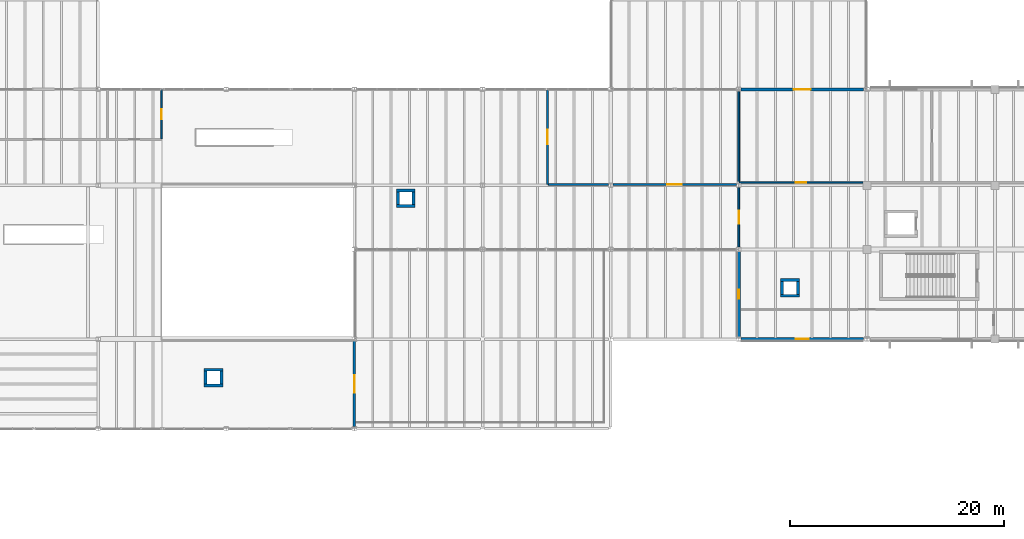
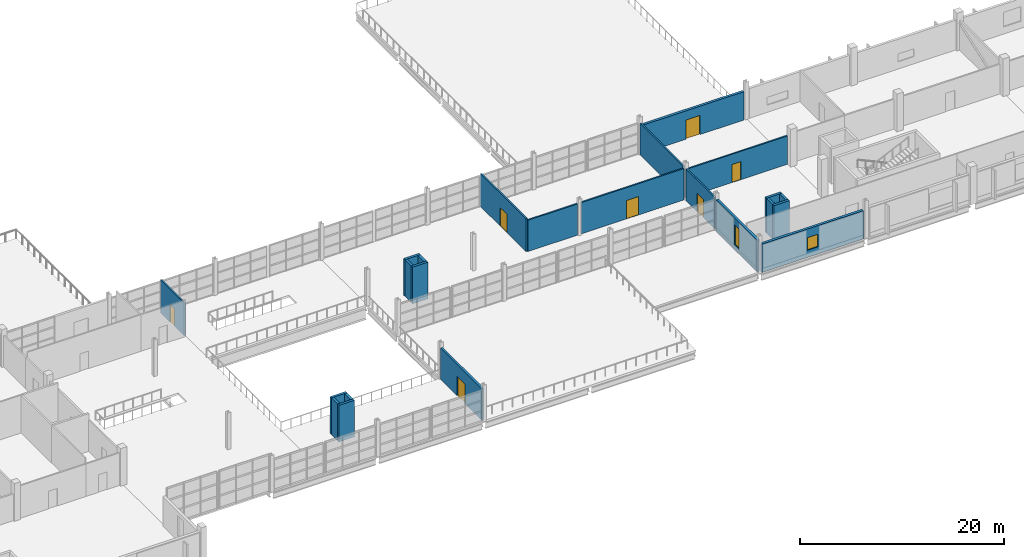
# One storey, part 57 of 78: 23 walls, 7 doors, 2 windows, 9 openings.
"""IFC4 building model written with IfcOpenShell, lengths in metres."""

from ifc_helpers import new_model, si_unit, direction, frame, frame_2d, origin, place, context, subcontext, project, spatial, rectangle, extrude, material, layer, layer_set, type_object, element, fill, save


model = new_model("IFC4")

# Units and contexts
model_context = context("Model", 3, precision=1e-05, world=origin(), true_north=direction((0.0, 1.0)))
body_context = subcontext(model_context, "Body", "Model", "MODEL_VIEW")
ifc_project = project(units=[si_unit("LENGTHUNIT", "METRE"), si_unit("AREAUNIT", "SQUARE_METRE"), si_unit("VOLUMEUNIT", "CUBIC_METRE"), si_unit("PLANEANGLEUNIT", "RADIAN"), si_unit("MASSUNIT", "GRAM", prefix="KILO")], contexts=[model_context])

# Site, building, storey
site_placement = place(None, origin())
site = spatial("IfcSite", under=ifc_project, at=site_placement, CompositionType="ELEMENT")
building_placement = place(site_placement, origin())
building = spatial("IfcBuilding", under=site, at=building_placement, Name="Kelmvaro Bay Concert Hall", CompositionType="ELEMENT")
storey_placement = place(building_placement, frame((0.0, 0.0, 9.300048828125)))
storey = spatial("IfcBuildingStorey", under=building, at=storey_placement, Name="L02", CompositionType="ELEMENT", Elevation=9.300048828125)

# Wall, opening, door
ifc_material_1 = material(Name="Acoustic Gypsum Board on Galvanised Steel Studs", Category="steel")
ifc_layer_1 = layer(ifc_material_1, 0.169921875)
ifc_layer_set_1 = layer_set([ifc_layer_1], Name="Acoustic Gypsum Board on Galvanised Steel Studs")
wall_type_1 = type_object("IfcWallType", Name="Corridor Fire Compartment Partition 170", PredefinedType="PARTITIONING", material=ifc_layer_set_1)
wall_1_placement = place(storey_placement, frame((120.0, 24.205078125, 0.0), z_axis=(0.0, 0.0, 1.0), x_axis=(0.0, 1.0, 0.0)))
wall_1 = element("IfcWall", 1, at=wall_1_placement, inside=storey, type_object=wall_type_1, Name="L02 Interior Partition PT-L02-0265", PredefinedType="PARTITIONING", context=body_context, shape_type="SweptSolid", body=[
    extrude(rectangle(XDim=5.58984375, YDim=0.169921875, at=frame_2d((2.794921875, 0.0))), origin(), (0.0, 0.0, 1.0), 3.763916015625),
])
opening_1_placement = place(wall_1_placement, frame((2.18505859375, 0.0, 0.0)))
opening_1 = element("IfcOpeningElement", 2, at=opening_1_placement, cuts=wall_1, Name="Opening ID-ST2", PredefinedType="OPENING", context=body_context, shape_type="SweptSolid", body=[
    extrude(rectangle(XDim=1.219970703125, YDim=2.179931640625, at=frame_2d((0.60986328125, 1.08984375))), frame((0.0, 0.094970703125, 0.0), z_axis=(0.0, -1.0, 0.0), x_axis=(1.0, 0.0, 0.0)), (0.0, 0.0, 1.0), 0.18994140625),
])
ifc_material_2 = material(Name="Acoustic Oak and Fire Glass", Category="glass")
door_type_1 = type_object("IfcDoorType", Name="Core Lobby Smoke Control Door 1220x2180", OperationType="NOTDEFINED", PredefinedType="DOOR", material=ifc_material_2)
door_1_placement = place(opening_1_placement, origin())
door_1 = element("IfcDoor", 3, at=door_1_placement, inside=storey, type_object=door_type_1, Name="L02 Interior Door DR-INT-L02-0157", OperationType="SINGLE_SWING_LEFT", OverallHeight=2.179931640625, OverallWidth=1.219970703125, PredefinedType="DOOR", context=body_context, shape_type="SweptSolid", body=[
    extrude(rectangle(XDim=1.219970703125, YDim=2.179931640625, at=frame_2d((0.60986328125, 1.08984375))), frame((0.0, 0.02490234375, 0.0), z_axis=(0.0, -1.0, 0.0), x_axis=(1.0, 0.0, 0.0)), (0.0, 0.0, 1.0), 0.050048828125),
])
fill(opening_1, door_1)

wall_2_placement = place(storey_placement, frame((102.080078125, 30.074951171875, 0.0), z_axis=(0.0, 0.0, 1.0), x_axis=(0.0, 1.0, 0.0)))
wall_2 = element("IfcWall", 4, at=wall_2_placement, inside=storey, type_object=wall_type_1, Name="L02 Interior Partition PT-L02-0275", PredefinedType="PARTITIONING", context=body_context, shape_type="SweptSolid", body=[
    extrude(rectangle(XDim=8.875, YDim=0.169921875, at=frame_2d((4.4375, 0.0))), origin(), (0.0, 0.0, 1.0), 3.93603515625),
])
opening_2_placement = place(wall_2_placement, frame((3.757568359375, 0.0, 0.0)))
opening_2 = element("IfcOpeningElement", 5, at=opening_2_placement, cuts=wall_2, Name="Opening ID-DN1", PredefinedType="OPENING", context=body_context, shape_type="SweptSolid", body=[
    extrude(rectangle(XDim=1.360107421875, YDim=2.199951171875, at=frame_2d((0.68017578125, 1.10009765625))), frame((0.0, 0.094970703125, 0.0), z_axis=(0.0, -1.0, 0.0), x_axis=(1.0, 0.0, 0.0)), (0.0, 0.0, 1.0), 0.18994140625),
])
ifc_material_3 = material(Name="Brushed Stainless Steel Core", Category="steel")
door_type_2 = type_object("IfcDoorType", Name="Dining and Kitchen Service Door 1360x2200", OperationType="NOTDEFINED", PredefinedType="DOOR", material=ifc_material_3)
door_2_placement = place(opening_2_placement, origin())
door_2 = element("IfcDoor", 6, at=door_2_placement, inside=storey, type_object=door_type_2, Name="L02 Interior Door DR-INT-L02-0164", OperationType="SINGLE_SWING_RIGHT", OverallHeight=2.199951171875, OverallWidth=1.360107421875, PredefinedType="DOOR", context=body_context, shape_type="SweptSolid", body=[
    extrude(rectangle(XDim=1.360107421875, YDim=2.199951171875, at=frame_2d((0.68017578125, 1.10009765625))), frame((0.0, 0.02490234375, 0.0), z_axis=(0.0, -1.0, 0.0), x_axis=(1.0, 0.0, 0.0)), (0.0, 0.0, 1.0), 0.050048828125),
])
fill(opening_2, door_2)

# Wall
wall_3_placement = place(storey_placement, frame((102.175048828125, 30.080078125, 0.0), z_axis=(0.0, 0.0, 1.0), x_axis=(1.0, 0.0, 0.0)))
element("IfcWall", 7, at=wall_3_placement, inside=storey, type_object=wall_type_1, Name="L02 Interior Partition PT-L02-0276", PredefinedType="PARTITIONING", context=body_context, shape_type="SweptSolid", body=[
    extrude(rectangle(XDim=5.618896484375, YDim=0.169921875, at=frame_2d((2.8095703125, 0.0))), origin(), (0.0, 0.0, 1.0), 3.739013671875),
])

# Wall, opening, door
wall_4_placement = place(storey_placement, frame((108.2060546875, 30.080078125, 0.0), z_axis=(0.0, 0.0, 1.0), x_axis=(1.0, 0.0, 0.0)))
wall_4 = element("IfcWall", 8, at=wall_4_placement, inside=storey, type_object=wall_type_1, Name="L02 Interior Partition PT-L02-0277", PredefinedType="PARTITIONING", context=body_context, shape_type="SweptSolid", body=[
    extrude(rectangle(XDim=11.58544921875, YDim=0.169921875, at=frame_2d((5.792724609375, 0.0))), origin(), (0.0, 0.0, 1.0), 3.739013671875),
])
opening_3_placement = place(wall_4_placement, frame((5.11279296875, 0.0, 0.0)))
opening_3 = element("IfcOpeningElement", 9, at=opening_3_placement, cuts=wall_4, Name="Opening ID-DN1", PredefinedType="OPENING", context=body_context, shape_type="SweptSolid", body=[
    extrude(rectangle(XDim=1.360107421875, YDim=2.199951171875, at=frame_2d((0.68017578125, 1.10009765625))), frame((0.0, 0.094970703125, 0.0), z_axis=(0.0, -1.0, 0.0), x_axis=(1.0, 0.0, 0.0)), (0.0, 0.0, 1.0), 0.18994140625),
])
door_3_placement = place(opening_3_placement, origin())
door_3 = element("IfcDoor", 10, at=door_3_placement, inside=storey, type_object=door_type_2, Name="L02 Interior Door DR-INT-L02-0165", OperationType="SINGLE_SWING_LEFT", OverallHeight=2.199951171875, OverallWidth=1.360107421875, PredefinedType="DOOR", context=body_context, shape_type="SweptSolid", body=[
    extrude(rectangle(XDim=1.360107421875, YDim=2.199951171875, at=frame_2d((0.68017578125, 1.10009765625))), frame((0.0, 0.02490234375, 0.0), z_axis=(0.0, -1.0, 0.0), x_axis=(1.0, 0.0, 0.0)), (0.0, 0.0, 1.0), 0.050048828125),
])
fill(opening_3, door_3)

# Wall, opening, window
ifc_material_4 = material(Name="Precast Concrete C40/50", Category="concrete")
ifc_layer_2 = layer(ifc_material_4, 0.280029296875)
ifc_layer_set_2 = layer_set([ifc_layer_2], Name="Precast Concrete C40/50")
wall_type_2 = type_object("IfcWallType", Name="Percussion Pavilion Precast Wall 280", PredefinedType="SOLIDWALL", material=ifc_layer_set_2)
wall_5_placement = place(storey_placement, frame((131.675048828125, 15.60009765625, 0.0), z_axis=(0.0, 0.0, 1.0), x_axis=(-1.0, 0.0, 0.0)))
wall_5 = element("IfcWall", 11, at=wall_5_placement, inside=storey, type_object=wall_type_2, Name="L02 Exterior Wall EW-L02-0220", PredefinedType="SOLIDWALL", context=body_context, shape_type="SweptSolid", body=[
    extrude(rectangle(XDim=11.474609375, YDim=0.280029296875, at=frame_2d((5.7373046875, 0.0))), origin(), (0.0, 0.0, 1.0), 3.387939453125),
])
opening_4_placement = place(wall_5_placement, frame((5.13720703125, 0.0, 0.85009765625)))
opening_4 = element("IfcOpeningElement", 12, at=opening_4_placement, cuts=wall_5, Name="Opening WN-06", PredefinedType="OPENING", context=body_context, shape_type="SweptSolid", body=[
    extrude(rectangle(XDim=1.199951171875, YDim=1.5, at=frame_2d((0.60009765625, 0.75))), frame((0.0, 0.14990234375, 0.0), z_axis=(0.0, -1.0, 0.0), x_axis=(1.0, 0.0, 0.0)), (0.0, 0.0, 1.0), 0.300048828125),
])
ifc_material_5 = material(Name="Thermally Broken Aluminium and Acoustic Low-E Glass", Category="aluminium")
window_type_1 = type_object("IfcWindowType", Name="Dressing Suite Daylight Window 1200x1500", PartitioningType="SINGLE_PANEL", PredefinedType="WINDOW", material=ifc_material_5)
window_1_placement = place(opening_4_placement, origin())
window_1 = element("IfcWindow", 13, at=window_1_placement, inside=storey, type_object=window_type_1, Name="L02 Facade Window WN-L02-0113", OverallHeight=1.5, OverallWidth=1.199951171875, PartitioningType="SINGLE_PANEL", PredefinedType="WINDOW", context=body_context, shape_type="SweptSolid", body=[
    extrude(rectangle(XDim=1.199951171875, YDim=1.5, at=frame_2d((0.60009765625, 0.75))), frame((0.0, 0.030029296875, 0.0), z_axis=(0.0, -1.0, 0.0), x_axis=(1.0, 0.0, 0.0)), (0.0, 0.0, 1.0), 0.06005859375),
])
fill(opening_4, window_1)

# Wall, opening, door
wall_6_placement = place(storey_placement, frame((120.200439453125, 39.0, 0.0), z_axis=(0.0, 0.0, 1.0), x_axis=(1.0, 0.0, 0.0)))
wall_6 = element("IfcWall", 14, at=wall_6_placement, inside=storey, type_object=wall_type_2, Name="L02 Exterior Wall EW-L02-0224", PredefinedType="SOLIDWALL", context=body_context, shape_type="SweptSolid", body=[
    extrude(rectangle(XDim=11.474609375, YDim=0.280029296875, at=frame_2d((5.7373046875, 0.0))), origin(), (0.0, 0.0, 1.0), 3.387939453125),
])
opening_5_placement = place(wall_6_placement, frame((4.937255859375, 0.0, 0.0)))
opening_5 = element("IfcOpeningElement", 15, at=opening_5_placement, cuts=wall_6, Name="Opening ED-160", PredefinedType="OPENING", context=body_context, shape_type="SweptSolid", body=[
    extrude(rectangle(XDim=1.60009765625, YDim=2.300048828125, at=frame_2d((0.800048828125, 1.14990234375))), frame((0.0, 0.14990234375, 0.0), z_axis=(0.0, -1.0, 0.0), x_axis=(1.0, 0.0, 0.0)), (0.0, 0.0, 1.0), 0.300048828125),
])
ifc_material_6 = material(Name="Thermally Broken Aluminium and Laminated Safety Glass", Category="aluminium")
door_type_3 = type_object("IfcDoorType", Name="Terrace Promenade Double Glazed Door 1600x2300", OperationType="NOTDEFINED", PredefinedType="DOOR", material=ifc_material_6)
door_4_placement = place(opening_5_placement, origin())
door_4 = element("IfcDoor", 16, at=door_4_placement, inside=storey, type_object=door_type_3, Name="L02 Exterior Door DR-EXT-L02-018", OperationType="DOUBLE_DOOR_SINGLE_SWING", OverallHeight=2.300048828125, OverallWidth=1.60009765625, PredefinedType="DOOR", context=body_context, shape_type="SweptSolid", body=[
    extrude(rectangle(XDim=1.60009765625, YDim=2.300048828125, at=frame_2d((0.800048828125, 1.14990234375))), frame((0.0, 0.02490234375, 0.0), z_axis=(0.0, -1.0, 0.0), x_axis=(1.0, 0.0, 0.0)), (0.0, 0.0, 1.0), 0.050048828125),
])
fill(opening_5, door_4)

# Wall, opening, window
wall_7_placement = place(storey_placement, frame((120.0, 15.799560546875, 0.0), z_axis=(0.0, 0.0, 1.0), x_axis=(0.0, 1.0, 0.0)))
wall_7 = element("IfcWall", 17, at=wall_7_placement, inside=storey, type_object=wall_type_2, Name="L02 Exterior Wall EW-L02-0229", PredefinedType="SOLIDWALL", context=body_context, shape_type="SweptSolid", body=[
    extrude(rectangle(XDim=8.00341796875, YDim=0.280029296875, at=frame_2d((4.001708984375, 0.0))), origin(), (0.0, 0.0, 1.0), 3.763916015625),
])
opening_6_placement = place(wall_7_placement, frame((3.576904296875, 0.0, 0.60009765625)))
opening_6 = element("IfcOpeningElement", 18, at=opening_6_placement, cuts=wall_7, Name="Opening WN-13", PredefinedType="OPENING", context=body_context, shape_type="SweptSolid", body=[
    extrude(rectangle(XDim=0.85009765625, YDim=2.35009765625, at=frame_2d((0.425048828125, 1.175048828125))), frame((0.0, 0.14990234375, 0.0), z_axis=(0.0, -1.0, 0.0), x_axis=(1.0, 0.0, 0.0)), (0.0, 0.0, 1.0), 0.300048828125),
])
ifc_material_7 = material(Name="Thermally Broken Aluminium and Acoustic Low-E Glass", Category="aluminium")
window_type_2 = type_object("IfcWindowType", Name="Salon Vertical Slot Window 850x2350", PartitioningType="SINGLE_PANEL", PredefinedType="WINDOW", material=ifc_material_7)
window_2_placement = place(opening_6_placement, origin())
window_2 = element("IfcWindow", 19, at=window_2_placement, inside=storey, type_object=window_type_2, Name="L02 Facade Window WN-L02-0120", OverallHeight=2.35009765625, OverallWidth=0.85009765625, PartitioningType="SINGLE_PANEL", PredefinedType="WINDOW", context=body_context, shape_type="SweptSolid", body=[
    extrude(rectangle(XDim=0.85009765625, YDim=2.35009765625, at=frame_2d((0.425048828125, 1.175048828125))), frame((0.0, 0.030029296875, 0.0), z_axis=(0.0, -1.0, 0.0), x_axis=(1.0, 0.0, 0.0)), (0.0, 0.0, 1.0), 0.06005859375),
])
fill(opening_6, window_2)

# Wall, opening, door
ifc_material_8 = material(Name="Acoustic Gypsum Board on Galvanised Steel Studs", Category="steel")
ifc_layer_3 = layer(ifc_material_8, 0.159912109375)
ifc_layer_set_3 = layer_set([ifc_layer_3], Name="Acoustic Gypsum Board on Galvanised Steel Studs")
wall_type_3 = type_object("IfcWallType", Name="Practice Room Acoustic Partition 160", PredefinedType="PARTITIONING", material=ifc_layer_set_3)
wall_8_placement = place(storey_placement, frame((120.050048828125, 30.280029296875, 0.0), z_axis=(0.0, 0.0, 1.0), x_axis=(1.0, 0.0, 0.0)))
wall_8 = element("IfcWall", 20, at=wall_8_placement, inside=storey, type_object=wall_type_3, Name="L02 Interior Partition PT-L02-0259", PredefinedType="PARTITIONING", context=body_context, shape_type="SweptSolid", body=[
    extrude(rectangle(XDim=11.56689453125, YDim=0.159912109375, at=frame_2d((5.783447265625, 0.0))), origin(), (0.0, 0.0, 1.0), 3.387939453125),
])
opening_7_placement = place(wall_8_placement, frame((5.283447265625, 0.0, 0.0)))
opening_7 = element("IfcOpeningElement", 21, at=opening_7_placement, cuts=wall_8, Name="Opening ID-PR1", PredefinedType="OPENING", context=body_context, shape_type="SweptSolid", body=[
    extrude(rectangle(XDim=1.0, YDim=2.159912109375, at=frame_2d((0.5, 1.080078125))), frame((0.0, 0.08984375, 0.0), z_axis=(0.0, -1.0, 0.0), x_axis=(1.0, 0.0, 0.0)), (0.0, 0.0, 1.0), 0.179931640625),
])
ifc_material_9 = material(Name="Solid White Oak Acoustic Leaf")
door_type_4 = type_object("IfcDoorType", Name="Practice Studio Acoustic Door 1000x2160", OperationType="NOTDEFINED", PredefinedType="DOOR", material=ifc_material_9)
door_5_placement = place(opening_7_placement, origin())
door_5 = element("IfcDoor", 22, at=door_5_placement, inside=storey, type_object=door_type_4, Name="L02 Interior Door DR-INT-L02-0153", OperationType="SINGLE_SWING_LEFT", OverallHeight=2.159912109375, OverallWidth=1.0, PredefinedType="DOOR", context=body_context, shape_type="SweptSolid", body=[
    extrude(rectangle(XDim=1.0, YDim=2.159912109375, at=frame_2d((0.5, 1.080078125))), frame((0.0, 0.02490234375, 0.0), z_axis=(0.0, -1.0, 0.0), x_axis=(1.0, 0.0, 0.0)), (0.0, 0.0, 1.0), 0.050048828125),
])
fill(opening_7, door_5)

# Walls
wall_9_placement = place(storey_placement, frame((120.0, 30.3701171875, 0.0), z_axis=(0.0, 0.0, 1.0), x_axis=(0.0, 1.0, 0.0)))
element("IfcWall", 23, at=wall_9_placement, inside=storey, type_object=wall_type_3, Name="L02 Interior Partition PT-L02-0268", PredefinedType="PARTITIONING", context=body_context, shape_type="SweptSolid", body=[
    extrude(rectangle(XDim=8.42236328125, YDim=0.159912109375, at=frame_2d((4.211181640625, 0.0))), origin(), (0.0, 0.0, 1.0), 3.763916015625),
])
ifc_material_10 = material(Name="Concrete C40/50", Category="concrete")
ifc_layer_4 = layer(ifc_material_10, 0.27001953125)
ifc_layer_set_4 = layer_set([ifc_layer_4], Name="Concrete C40/50")
wall_type_4 = type_object("IfcWallType", Name="Secondary Shaft Shear Wall 270", PredefinedType="SHEAR", material=ifc_layer_set_4)
for number, where, z_axis, x_axis, name in (
    (24, (123.929931640625, 19.6650390625, 0.0), (0.0, 0.0, 1.0), (1.0, 0.0, 0.0), "L02 Service Riser Shaft Wall 137-S"),
    (25, (123.929931640625, 21.135009765625, 0.0), (0.0, 0.0, 1.0), (1.0, 0.0, 0.0), "L02 Service Riser Shaft Wall 138-N"),
):
    element("IfcWall", number, at=place(storey_placement, frame(where, z_axis=z_axis, x_axis=x_axis)), inside=storey, type_object=wall_type_4, Name=name, PredefinedType="SHEAR", context=body_context, shape_type="SweptSolid", body=[
        extrude(rectangle(XDim=1.739990234375, YDim=0.27001953125, at=frame_2d((0.8701171875, 0.0))), origin(), (0.0, 0.0, 1.0), 4.2099609375),
    ])
for number, where, z_axis, x_axis, name in (
    (26, (124.06494140625, 19.800048828125, 0.0), (0.0, 0.0, 1.0), (0.0, 1.0, 0.0), "L02 Service Riser Shaft Wall 139-W"),
    (27, (125.534912109375, 19.800048828125, 0.0), (0.0, 0.0, 1.0), (0.0, 1.0, 0.0), "L02 Service Riser Shaft Wall 140-E"),
):
    element("IfcWall", number, at=place(storey_placement, frame(where, z_axis=z_axis, x_axis=x_axis)), inside=storey, type_object=wall_type_4, Name=name, PredefinedType="SHEAR", context=body_context, shape_type="SweptSolid", body=[
        extrude(rectangle(XDim=1.199951171875, YDim=0.27001953125, at=frame_2d((0.60009765625, 0.0))), origin(), (0.0, 0.0, 1.0), 4.2099609375),
    ])
for number, where, z_axis, x_axis, name in (
    (28, (69.929931640625, 11.264892578125, 0.0), (0.0, 0.0, 1.0), (1.0, 0.0, 0.0), "L02 Service Riser Shaft Wall 141-S"),
    (29, (69.929931640625, 12.735107421875, 0.0), (0.0, 0.0, 1.0), (1.0, 0.0, 0.0), "L02 Service Riser Shaft Wall 142-N"),
):
    element("IfcWall", number, at=place(storey_placement, frame(where, z_axis=z_axis, x_axis=x_axis)), inside=storey, type_object=wall_type_4, Name=name, PredefinedType="SHEAR", context=body_context, shape_type="SweptSolid", body=[
        extrude(rectangle(XDim=1.739990234375, YDim=0.27001953125, at=frame_2d((0.8701171875, 0.0))), origin(), (0.0, 0.0, 1.0), 4.369873046875),
    ])
for number, where, z_axis, x_axis, name in (
    (30, (70.06494140625, 11.39990234375, 0.0), (0.0, 0.0, 1.0), (0.0, 1.0, 0.0), "L02 Service Riser Shaft Wall 143-W"),
    (31, (71.534912109375, 11.39990234375, 0.0), (0.0, 0.0, 1.0), (0.0, 1.0, 0.0), "L02 Service Riser Shaft Wall 144-E"),
):
    element("IfcWall", number, at=place(storey_placement, frame(where, z_axis=z_axis, x_axis=x_axis)), inside=storey, type_object=wall_type_4, Name=name, PredefinedType="SHEAR", context=body_context, shape_type="SweptSolid", body=[
        extrude(rectangle(XDim=1.2001953125, YDim=0.27001953125, at=frame_2d((0.60009765625, 0.0))), origin(), (0.0, 0.0, 1.0), 4.369873046875),
    ])
for number, where, z_axis, x_axis, name in (
    (32, (87.929931640625, 28.06494140625, 0.0), (0.0, 0.0, 1.0), (1.0, 0.0, 0.0), "L02 Service Riser Shaft Wall 145-S"),
    (33, (87.929931640625, 29.534912109375, 0.0), (0.0, 0.0, 1.0), (1.0, 0.0, 0.0), "L02 Service Riser Shaft Wall 146-N"),
):
    element("IfcWall", number, at=place(storey_placement, frame(where, z_axis=z_axis, x_axis=x_axis)), inside=storey, type_object=wall_type_4, Name=name, PredefinedType="SHEAR", context=body_context, shape_type="SweptSolid", body=[
        extrude(rectangle(XDim=1.739990234375, YDim=0.27001953125, at=frame_2d((0.8701171875, 0.0))), origin(), (0.0, 0.0, 1.0), 4.369873046875),
    ])
for number, where, z_axis, x_axis, name in (
    (34, (88.06494140625, 28.199951171875, 0.0), (0.0, 0.0, 1.0), (0.0, 1.0, 0.0), "L02 Service Riser Shaft Wall 147-W"),
    (35, (89.534912109375, 28.199951171875, 0.0), (0.0, 0.0, 1.0), (0.0, 1.0, 0.0), "L02 Service Riser Shaft Wall 148-E"),
):
    element("IfcWall", number, at=place(storey_placement, frame(where, z_axis=z_axis, x_axis=x_axis)), inside=storey, type_object=wall_type_4, Name=name, PredefinedType="SHEAR", context=body_context, shape_type="SweptSolid", body=[
        extrude(rectangle(XDim=1.199951171875, YDim=0.27001953125, at=frame_2d((0.60009765625, 0.0))), origin(), (0.0, 0.0, 1.0), 4.369873046875),
    ])

# Wall, opening, door
ifc_material_11 = material(Name="Precast Concrete C40/50", Category="concrete")
ifc_layer_5 = layer(ifc_material_11, 0.239990234375)
ifc_layer_set_5 = layer_set([ifc_layer_5], Name="Precast Concrete C40/50")
wall_type_5 = type_object("IfcWallType", Name="Terrace Vestibule Exterior Wall 240", PredefinedType="SOLIDWALL", material=ifc_layer_set_5)
wall_10_placement = place(storey_placement, frame((84.0, 15.406982421875, 0.0), z_axis=(0.0, 0.0, 1.0), x_axis=(0.0, -1.0, 0.0)))
wall_10 = element("IfcWall", 36, at=wall_10_placement, inside=storey, type_object=wall_type_5, Name="L02 Exterior Wall EW-L02-0270", PredefinedType="SOLIDWALL", context=body_context, shape_type="SweptSolid", body=[
    extrude(rectangle(XDim=8.013916015625, YDim=0.239990234375, at=frame_2d((4.0068359375, 0.0))), origin(), (0.0, 0.0, 1.0), 3.738037109375),
])
opening_8_placement = place(wall_10_placement, frame((3.20703125, 0.0, 0.0)))
opening_8 = element("IfcOpeningElement", 37, at=opening_8_placement, cuts=wall_10, Name="Opening ED-160", PredefinedType="OPENING", context=body_context, shape_type="SweptSolid", body=[
    extrude(rectangle(XDim=1.60009765625, YDim=2.300048828125, at=frame_2d((0.800048828125, 1.14990234375))), frame((0.0, 0.1298828125, 0.0), z_axis=(0.0, -1.0, 0.0), x_axis=(1.0, 0.0, 0.0)), (0.0, 0.0, 1.0), 0.260009765625),
])
door_6_placement = place(opening_8_placement, origin())
door_6 = element("IfcDoor", 38, at=door_6_placement, inside=storey, type_object=door_type_3, Name="L02 Exterior Door DR-EXT-L02-029", OperationType="DOUBLE_DOOR_SINGLE_SWING", OverallHeight=2.300048828125, OverallWidth=1.60009765625, PredefinedType="DOOR", context=body_context, shape_type="SweptSolid", body=[
    extrude(rectangle(XDim=1.60009765625, YDim=2.300048828125, at=frame_2d((0.800048828125, 1.14990234375))), frame((0.0, 0.02490234375, 0.0), z_axis=(0.0, -1.0, 0.0), x_axis=(1.0, 0.0, 0.0)), (0.0, 0.0, 1.0), 0.050048828125),
])
fill(opening_8, door_6)

ifc_material_12 = material(Name="Acoustic Gypsum Board on Galvanised Steel Studs", Category="steel")
ifc_layer_6 = layer(ifc_material_12, 0.14990234375)
ifc_layer_set_6 = layer_set([ifc_layer_6], Name="Acoustic Gypsum Board on Galvanised Steel Studs")
wall_type_6 = type_object("IfcWallType", Name="Wet Area Moisture-Resistant Partition 150", PredefinedType="PARTITIONING", material=ifc_layer_set_6)
wall_11_placement = place(storey_placement, frame((65.919921875, 34.364990234375, 0.0), z_axis=(0.0, 0.0, 1.0), x_axis=(0.0, 1.0, 0.0)))
wall_11 = element("IfcWall", 39, at=wall_11_placement, inside=storey, type_object=wall_type_6, Name="L02 Interior Partition PT-L02-0274", PredefinedType="PARTITIONING", context=body_context, shape_type="SweptSolid", body=[
    extrude(rectangle(XDim=4.5849609375, YDim=0.14990234375, at=frame_2d((2.29248046875, 0.0))), origin(), (0.0, 0.0, 1.0), 3.93603515625),
])
opening_9_placement = place(wall_11_placement, frame((1.822509765625, 0.0, 0.0)))
opening_9 = element("IfcOpeningElement", 40, at=opening_9_placement, cuts=wall_11, Name="Opening ID-WC1", PredefinedType="OPENING", context=body_context, shape_type="SweptSolid", body=[
    extrude(rectangle(XDim=0.93994140625, YDim=2.10009765625, at=frame_2d((0.469970703125, 1.050048828125))), frame((0.0, 0.0849609375, 0.0), z_axis=(0.0, -1.0, 0.0), x_axis=(1.0, 0.0, 0.0)), (0.0, 0.0, 1.0), 0.169921875),
])
ifc_material_13 = material(Name="High-Pressure Laminate Core")
door_type_5 = type_object("IfcDoorType", Name="Accessible Restroom Door 940x2100", OperationType="NOTDEFINED", PredefinedType="DOOR", material=ifc_material_13)
door_7_placement = place(opening_9_placement, origin())
door_7 = element("IfcDoor", 41, at=door_7_placement, inside=storey, type_object=door_type_5, Name="L02 Interior Door DR-INT-L02-0163", OperationType="SINGLE_SWING_LEFT", OverallHeight=2.10009765625, OverallWidth=0.93994140625, PredefinedType="DOOR", context=body_context, shape_type="SweptSolid", body=[
    extrude(rectangle(XDim=0.93994140625, YDim=2.10009765625, at=frame_2d((0.469970703125, 1.050048828125))), frame((0.0, 0.02490234375, 0.0), z_axis=(0.0, -1.0, 0.0), x_axis=(1.0, 0.0, 0.0)), (0.0, 0.0, 1.0), 0.050048828125),
])
fill(opening_9, door_7)

save(model, "model.ifc")
